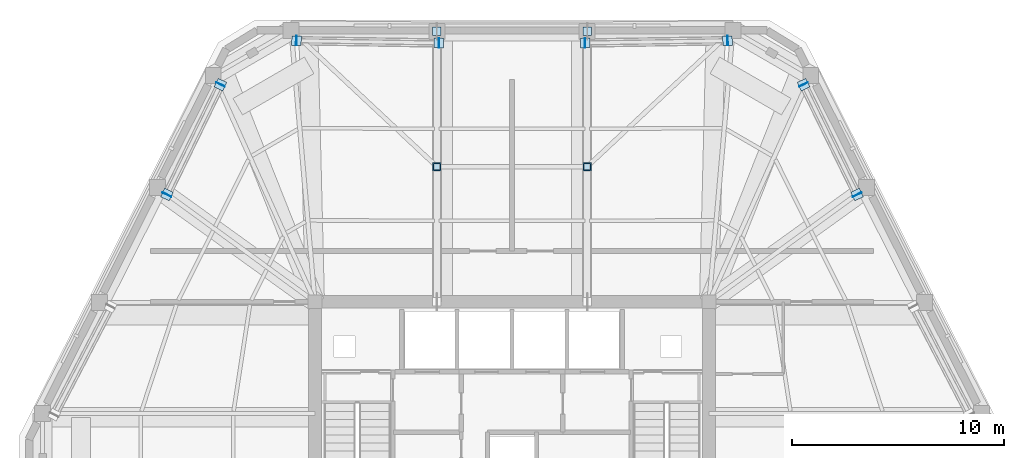
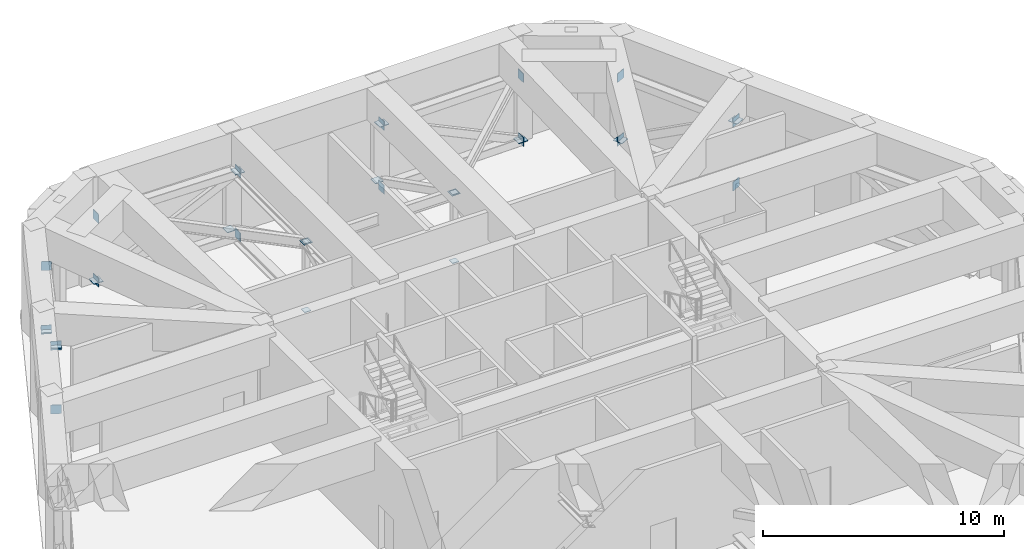
# One storey, part 9 of 15: 32 plates.
"""IFC4 building model written with IfcOpenShell, lengths in metres."""

from ifc_helpers import new_model, si_unit, direction, frame, origin, origin_2d, place, context, subcontext, project, spatial, rectangle, extrude, material, layer, layer_set, type_object, element, save


model = new_model("IFC4")

# Units and contexts
model_context = context("Model", 3, precision=1e-05, world=origin(), true_north=direction((0.0, 1.0)))
body_context = subcontext(model_context, "Body", "Model", "MODEL_VIEW")
ifc_project = project(units=[si_unit("LENGTHUNIT", "METRE"), si_unit("AREAUNIT", "SQUARE_METRE"), si_unit("VOLUMEUNIT", "CUBIC_METRE"), si_unit("PLANEANGLEUNIT", "RADIAN"), si_unit("MASSUNIT", "GRAM", prefix="KILO")], contexts=[model_context])

# Site, building, storey
site_placement = place(None, origin())
site = spatial("IfcSite", under=ifc_project, at=site_placement, CompositionType="ELEMENT")
building_placement = place(site_placement, origin())
building = spatial("IfcBuilding", under=site, at=building_placement, Name="Cinnabar Lancet Tower", CompositionType="ELEMENT")
storey_placement = place(building_placement, frame((0.0, 0.0, 221.60009765625)))
storey = spatial("IfcBuildingStorey", under=building, at=storey_placement, Name="L59", CompositionType="ELEMENT", Elevation=221.60009765625)

# Plates
ifc_material = material(Name="Structural steel S460", Category="steel")
ifc_layer = layer(ifc_material, 0.030029296875)
ifc_layer_set = layer_set([ifc_layer], Name="Structural steel S460")
plate_type = type_object("IfcPlateType", Name="STR-PL-CAP-25", PredefinedType="SHEET", material=ifc_layer_set)
for number, where, z_axis, x_axis, name in (
    (1, (35.943115234375, 39.5791015625, -0.02490234375), (0.0, 0.0, 1.0), (1.0, 0.0, 0.0), "Hollow section end cap plate CP-OTVP-L59-3B"),
    (2, (35.943115234375, 39.5791015625, 3.44482421875), (0.0, 0.0, 1.0), (1.0, 0.0, 0.0), "Hollow section end cap plate CP-OTVP-L59-3T"),
):
    element("IfcPlate", number, at=place(storey_placement, frame(where, z_axis=z_axis, x_axis=x_axis)), inside=storey, type_object=plate_type, Name=name, PredefinedType="SHEET", context=body_context, shape_type="SweptSolid", body=[
        extrude(rectangle(XDim=0.300048828125, YDim=0.300048828125, at=origin_2d()), origin(), (0.0, 0.0, 1.0), 0.030029296875),
    ])
for number, where, z_axis, x_axis, name in (
    (3, (35.943115234375, 39.5791015625, 3.44482421875), (0.0, 0.0, 1.0), (0.0, 1.0, 0.0), "Hollow section end cap plate CP-OTD-L59-3-1B"),
    (4, (35.943115234375, 45.9580078125, 0.19482421875), (0.0, 0.0, 1.0), (0.0, 1.0, 0.0), "Hollow section end cap plate CP-OTD-L59-3-2B"),
):
    element("IfcPlate", number, at=place(storey_placement, frame(where, z_axis=z_axis, x_axis=x_axis)), inside=storey, type_object=plate_type, Name=name, PredefinedType="SHEET", context=body_context, shape_type="SweptSolid", body=[
        extrude(rectangle(XDim=0.39990234375, YDim=0.39990234375, at=origin_2d()), origin(), (0.0, 0.0, 1.0), 0.030029296875),
    ])
for number, where, z_axis, x_axis, name in (
    (5, (28.85693359375, 39.5791015625, -0.02490234375), (0.0, 0.0, 1.0), (1.0, 0.0, 0.0), "Hollow section end cap plate CP-OTVP-L59-4B"),
    (6, (28.85693359375, 39.5791015625, 3.44482421875), (0.0, 0.0, 1.0), (1.0, 0.0, 0.0), "Hollow section end cap plate CP-OTVP-L59-4T"),
):
    element("IfcPlate", number, at=place(storey_placement, frame(where, z_axis=z_axis, x_axis=x_axis)), inside=storey, type_object=plate_type, Name=name, PredefinedType="SHEET", context=body_context, shape_type="SweptSolid", body=[
        extrude(rectangle(XDim=0.300048828125, YDim=0.300048828125, at=origin_2d()), origin(), (0.0, 0.0, 1.0), 0.030029296875),
    ])
for number, where, z_axis, x_axis, name in (
    (7, (28.85693359375, 39.5791015625, 3.44482421875), (0.0, 0.0, 1.0), (0.0, 1.0, 0.0), "Hollow section end cap plate CP-OTD-L59-4-1B"),
    (8, (28.85693359375, 45.9580078125, 0.19482421875), (0.0, 0.0, 1.0), (0.0, 1.0, 0.0), "Hollow section end cap plate CP-OTD-L59-4-2B"),
):
    element("IfcPlate", number, at=place(storey_placement, frame(where, z_axis=z_axis, x_axis=x_axis)), inside=storey, type_object=plate_type, Name=name, PredefinedType="SHEET", context=body_context, shape_type="SweptSolid", body=[
        extrude(rectangle(XDim=0.39990234375, YDim=0.39990234375, at=origin_2d()), origin(), (0.0, 0.0, 1.0), 0.030029296875),
    ])
for number, where, z_axis, x_axis, name in (
    (9, (48.68603515625, 38.258056640625, -0.0048828125), (0.0, 0.0, 1.0), (0.437963241868, -0.898992880268, 0.0), "Hollow section end cap plate CP-BTC-L59-3-3-BC0"),
    (10, (46.153076171875, 43.455078125, -0.0048828125), (0.0, 0.0, 1.0), (-0.437963241868, 0.898992880268, 0.0), "Hollow section end cap plate CP-BTC-L59-3-3-BC1"),
    (11, (48.68603515625, 38.258056640625, 3.22509765625), (0.0, 0.0, 1.0), (0.437963241868, -0.898992880268, 0.0), "Hollow section end cap plate CP-BTC-L59-3-3-TC0"),
    (12, (46.153076171875, 43.455078125, 3.22509765625), (0.0, 0.0, 1.0), (-0.437963241868, 0.898992880268, 0.0), "Hollow section end cap plate CP-BTC-L59-3-3-TC1"),
):
    element("IfcPlate", number, at=place(storey_placement, frame(where, z_axis=z_axis, x_axis=x_axis)), inside=storey, type_object=plate_type, Name=name, PredefinedType="SHEET", context=body_context, shape_type="SweptSolid", body=[
        extrude(rectangle(XDim=0.030029296875, YDim=0.449951171875, at=origin_2d()), origin(), (0.0, 0.0, 1.0), 0.449951171875),
    ])
for number, where, z_axis, x_axis, name in (
    (13, (48.681884765625, 38.264892578125, 3.44482421875), (0.0, 0.0, 1.0), (0.437963241868, -0.898992880268, 0.0), "Hollow section end cap plate CP-BTD-L59-3-3-0"),
    (14, (46.156982421875, 43.447998046875, 0.19482421875), (0.0, 0.0, 1.0), (-0.437963241868, 0.898992880268, 0.0), "Hollow section end cap plate CP-BTD-L59-3-3-1"),
):
    element("IfcPlate", number, at=place(storey_placement, frame(where, z_axis=z_axis, x_axis=x_axis)), inside=storey, type_object=plate_type, Name=name, PredefinedType="SHEET", context=body_context, shape_type="SweptSolid", body=[
        extrude(rectangle(XDim=0.449951171875, YDim=0.449951171875, at=origin_2d()), origin(), (0.0, 0.0, 1.0), 0.030029296875),
    ])
for number, where, z_axis, x_axis, name in (
    (15, (42.576904296875, 45.52197265625, -0.0048828125), (0.0, 0.0, 1.0), (0.999875533467, 0.015777121831, 0.0), "Hollow section end cap plate CP-BTC-L59-4-1-BC0"),
    (16, (35.840087890625, 45.416015625, -0.0048828125), (0.0, 0.0, 1.0), (-0.999875533467, -0.015777121831, 0.0), "Hollow section end cap plate CP-BTC-L59-4-1-BC1"),
    (17, (42.576904296875, 45.52197265625, 3.22509765625), (0.0, 0.0, 1.0), (0.999875533467, 0.015777121831, 0.0), "Hollow section end cap plate CP-BTC-L59-4-1-TC0"),
    (18, (35.840087890625, 45.416015625, 3.22509765625), (0.0, 0.0, 1.0), (-0.999875533467, -0.015777121831, 0.0), "Hollow section end cap plate CP-BTC-L59-4-1-TC1"),
):
    element("IfcPlate", number, at=place(storey_placement, frame(where, z_axis=z_axis, x_axis=x_axis)), inside=storey, type_object=plate_type, Name=name, PredefinedType="SHEET", context=body_context, shape_type="SweptSolid", body=[
        extrude(rectangle(XDim=0.030029296875, YDim=0.449951171875, at=origin_2d()), origin(), (0.0, 0.0, 1.0), 0.449951171875),
    ])
for number, where, z_axis, x_axis, name in (
    (19, (42.569091796875, 45.52197265625, 0.19482421875), (0.0, 0.0, 1.0), (0.999875533467, 0.015777121831, 0.0), "Hollow section end cap plate CP-BTD-L59-4-1-0"),
    (20, (35.847900390625, 45.416015625, 3.44482421875), (0.0, 0.0, 1.0), (-0.999875533467, -0.015777121831, 0.0), "Hollow section end cap plate CP-BTD-L59-4-1-1"),
):
    element("IfcPlate", number, at=place(storey_placement, frame(where, z_axis=z_axis, x_axis=x_axis)), inside=storey, type_object=plate_type, Name=name, PredefinedType="SHEET", context=body_context, shape_type="SweptSolid", body=[
        extrude(rectangle(XDim=0.449951171875, YDim=0.449951171875, at=origin_2d()), origin(), (0.0, 0.0, 1.0), 0.030029296875),
    ])
for number, where, z_axis, x_axis, name in (
    (21, (28.9599609375, 45.416015625, -0.0048828125), (0.0, 0.0, 1.0), (0.999875533467, -0.015777121831, 0.0), "Hollow section end cap plate CP-BTC-L59-4-3-BC0"),
    (22, (22.222900390625, 45.52197265625, -0.0048828125), (0.0, 0.0, 1.0), (-0.999875533467, 0.015777121831, 0.0), "Hollow section end cap plate CP-BTC-L59-4-3-BC1"),
    (23, (28.9599609375, 45.416015625, 3.22509765625), (0.0, 0.0, 1.0), (0.999875533467, -0.015777121831, 0.0), "Hollow section end cap plate CP-BTC-L59-4-3-TC0"),
    (24, (22.222900390625, 45.52197265625, 3.22509765625), (0.0, 0.0, 1.0), (-0.999875533467, 0.015777121831, 0.0), "Hollow section end cap plate CP-BTC-L59-4-3-TC1"),
):
    element("IfcPlate", number, at=place(storey_placement, frame(where, z_axis=z_axis, x_axis=x_axis)), inside=storey, type_object=plate_type, Name=name, PredefinedType="SHEET", context=body_context, shape_type="SweptSolid", body=[
        extrude(rectangle(XDim=0.030029296875, YDim=0.449951171875, at=origin_2d()), origin(), (0.0, 0.0, 1.0), 0.449951171875),
    ])
for number, where, z_axis, x_axis, name in (
    (25, (28.951904296875, 45.416015625, 3.44482421875), (0.0, 0.0, 1.0), (0.999875533467, -0.015777121831, 0.0), "Hollow section end cap plate CP-BTD-L59-4-3-0"),
    (26, (22.23095703125, 45.52197265625, 0.19482421875), (0.0, 0.0, 1.0), (-0.999875533467, 0.015777121831, 0.0), "Hollow section end cap plate CP-BTD-L59-4-3-1"),
):
    element("IfcPlate", number, at=place(storey_placement, frame(where, z_axis=z_axis, x_axis=x_axis)), inside=storey, type_object=plate_type, Name=name, PredefinedType="SHEET", context=body_context, shape_type="SweptSolid", body=[
        extrude(rectangle(XDim=0.449951171875, YDim=0.449951171875, at=origin_2d()), origin(), (0.0, 0.0, 1.0), 0.030029296875),
    ])
for number, where, z_axis, x_axis, name in (
    (27, (18.64697265625, 43.455078125, -0.0048828125), (0.0, 0.0, 1.0), (0.437963241868, 0.898992880268, 0.0), "Hollow section end cap plate CP-BTC-L59-5-1-BC0"),
    (28, (16.114013671875, 38.258056640625, -0.0048828125), (0.0, 0.0, 1.0), (-0.437963241868, -0.898992880268, 0.0), "Hollow section end cap plate CP-BTC-L59-5-1-BC1"),
    (29, (18.64697265625, 43.455078125, 3.22509765625), (0.0, 0.0, 1.0), (0.437963241868, 0.898992880268, 0.0), "Hollow section end cap plate CP-BTC-L59-5-1-TC0"),
    (30, (16.114013671875, 38.258056640625, 3.22509765625), (0.0, 0.0, 1.0), (-0.437963241868, -0.898992880268, 0.0), "Hollow section end cap plate CP-BTC-L59-5-1-TC1"),
):
    element("IfcPlate", number, at=place(storey_placement, frame(where, z_axis=z_axis, x_axis=x_axis)), inside=storey, type_object=plate_type, Name=name, PredefinedType="SHEET", context=body_context, shape_type="SweptSolid", body=[
        extrude(rectangle(XDim=0.030029296875, YDim=0.449951171875, at=origin_2d()), origin(), (0.0, 0.0, 1.0), 0.449951171875),
    ])
for number, where, z_axis, x_axis, name in (
    (31, (18.64306640625, 43.447998046875, 0.19482421875), (0.0, 0.0, 1.0), (0.437963241868, 0.898992880268, 0.0), "Hollow section end cap plate CP-BTD-L59-5-1-0"),
    (32, (16.117919921875, 38.264892578125, 3.44482421875), (0.0, 0.0, 1.0), (-0.437963241868, -0.898992880268, 0.0), "Hollow section end cap plate CP-BTD-L59-5-1-1"),
):
    element("IfcPlate", number, at=place(storey_placement, frame(where, z_axis=z_axis, x_axis=x_axis)), inside=storey, type_object=plate_type, Name=name, PredefinedType="SHEET", context=body_context, shape_type="SweptSolid", body=[
        extrude(rectangle(XDim=0.449951171875, YDim=0.449951171875, at=origin_2d()), origin(), (0.0, 0.0, 1.0), 0.030029296875),
    ])

save(model, "model.ifc")
